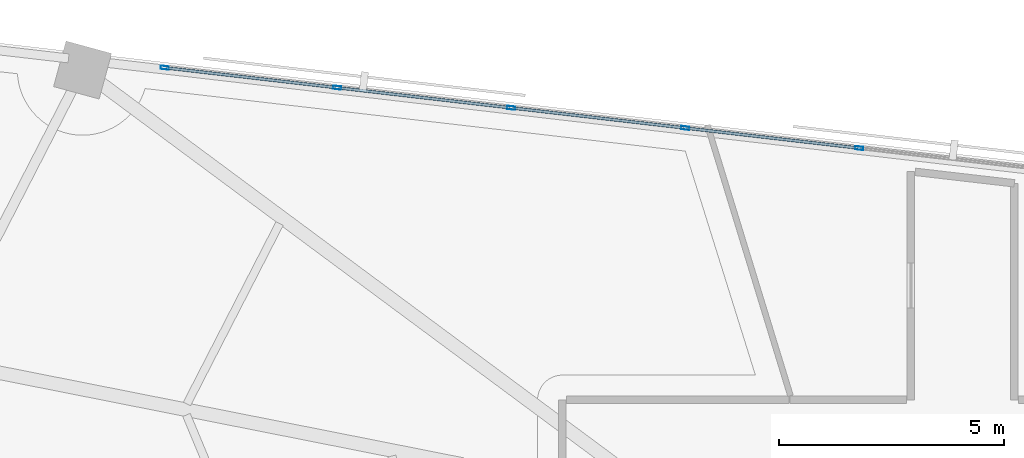
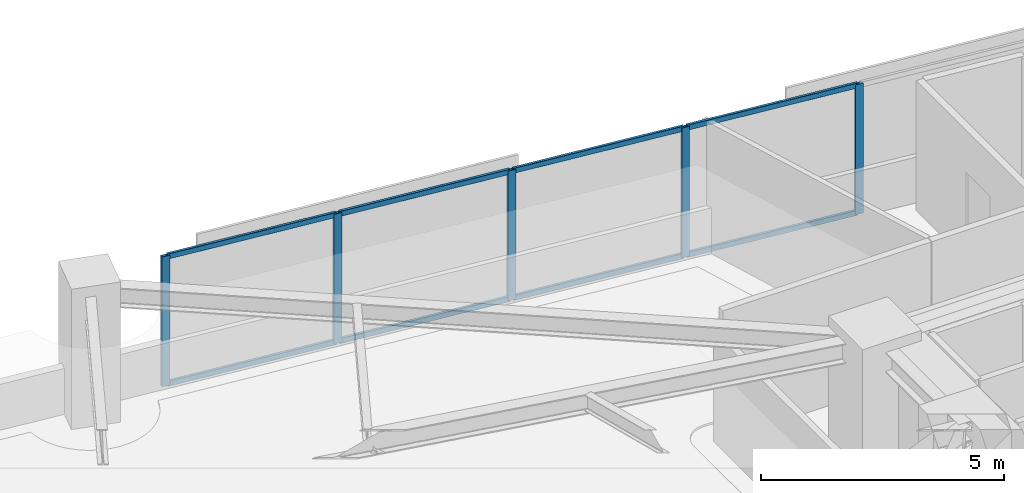
# One storey, part 7 of 14: 13 members, 1 element without a shape of its own.
"""IFC4 building model written with IfcOpenShell, lengths in metres."""

from ifc_helpers import new_model, si_unit, direction, frame, origin, origin_2d, place, context, subcontext, project, spatial, hollow_rectangle, extrude, material, material_profile, profile_set, type_object, element, aggregate, save


model = new_model("IFC4")

# Units and contexts
model_context = context("Model", 3, precision=1e-05, world=origin(), true_north=direction((0.0, 1.0)))
body_context = subcontext(model_context, "Body", "Model", "MODEL_VIEW")
ifc_project = project(units=[si_unit("LENGTHUNIT", "METRE"), si_unit("AREAUNIT", "SQUARE_METRE"), si_unit("VOLUMEUNIT", "CUBIC_METRE"), si_unit("PLANEANGLEUNIT", "RADIAN"), si_unit("MASSUNIT", "GRAM", prefix="KILO")], contexts=[model_context])

# Site, building, storey
site_placement = place(None, origin())
site = spatial("IfcSite", under=ifc_project, at=site_placement, CompositionType="ELEMENT")
building_placement = place(site_placement, origin())
building = spatial("IfcBuilding", under=site, at=building_placement, Name="Narakoshi Arena Tower", CompositionType="ELEMENT")
storey_placement = place(building_placement, frame((0.0, 0.0, 211.4599609375)))
storey = spatial("IfcBuildingStorey", under=building, at=storey_placement, Name="L57", CompositionType="ELEMENT", Elevation=211.4599609375)

# Curtain wall, members
ifc_material = material(Name="Anodised bronze aluminium 6063-T6", Category="aluminium")
curtain_wall_type = type_object("IfcCurtainWallType", Name="CW-HYP-MID", PredefinedType="NOTDEFINED", material=ifc_material)
curtain_wall_placement = place(storey_placement, origin())
curtain_wall = element("IfcCurtainWall", 1, at=curtain_wall_placement, inside=storey, type_object=curtain_wall_type, Name="L57 Folded Hypotenuse Curtain Wall 2-1", PredefinedType="NOTDEFINED")
ifc_material_profile_1 = material_profile(ifc_material, hollow_rectangle(XDim=0.074951171875, YDim=0.179931640625, WallThickness=0.00390625, OuterFilletRadius=0.0048828125, at=origin_2d()), Name="MUL180x75x4")
ifc_profile_set_1 = profile_set([ifc_material_profile_1], Name="Anodised bronze aluminium 6063-T6")
member_type_1 = type_object("IfcMemberType", Name="MEM-MUL-180", PredefinedType="MULLION", material=ifc_profile_set_1)
member_1_placement = place(storey_placement, frame((76.20068359375, 64.446533203125, 0.0), z_axis=(0.0, 0.0, 1.0), x_axis=(-0.115011296816, -0.993364183774, 0.0)))
member_1 = element("IfcMember", 2, at=member_1_placement, type_object=member_type_1, Name="CW-02 mullion 3", PredefinedType="MULLION", context=body_context, shape_type="SweptSolid", body=[
    extrude(hollow_rectangle(XDim=0.074951171875, YDim=0.179931640625, WallThickness=0.00390625, OuterFilletRadius=0.0048828125, at=origin_2d()), origin(), (0.0, 0.0, 1.0), 3.260009765625),
])
member_2_placement = place(storey_placement, frame((72.33154296875, 64.894287109375, 0.0), z_axis=(0.0, 0.0, 1.0), x_axis=(-0.115011296816, -0.993364183774, 0.0)))
member_2 = element("IfcMember", 3, at=member_2_placement, type_object=member_type_1, Name="CW-02 mullion 4", PredefinedType="MULLION", context=body_context, shape_type="SweptSolid", body=[
    extrude(hollow_rectangle(XDim=0.074951171875, YDim=0.179931640625, WallThickness=0.00390625, OuterFilletRadius=0.0048828125, at=origin_2d()), origin(), (0.0, 0.0, 1.0), 3.260009765625),
])
member_3_placement = place(storey_placement, frame((68.46240234375, 65.34228515625, 0.0), z_axis=(0.0, 0.0, 1.0), x_axis=(-0.115011296816, -0.993364183774, 0.0)))
member_3 = element("IfcMember", 4, at=member_3_placement, type_object=member_type_1, Name="CW-02 mullion 5", PredefinedType="MULLION", context=body_context, shape_type="SweptSolid", body=[
    extrude(hollow_rectangle(XDim=0.074951171875, YDim=0.179931640625, WallThickness=0.00390625, OuterFilletRadius=0.0048828125, at=origin_2d()), origin(), (0.0, 0.0, 1.0), 3.260009765625),
])
member_4_placement = place(storey_placement, frame((64.59326171875, 65.790283203125, 0.0), z_axis=(0.0, 0.0, 1.0), x_axis=(-0.115011296816, -0.993364183774, 0.0)))
member_4 = element("IfcMember", 5, at=member_4_placement, type_object=member_type_1, Name="CW-02 mullion 6", PredefinedType="MULLION", context=body_context, shape_type="SweptSolid", body=[
    extrude(hollow_rectangle(XDim=0.074951171875, YDim=0.179931640625, WallThickness=0.00390625, OuterFilletRadius=0.0048828125, at=origin_2d()), origin(), (0.0, 0.0, 1.0), 3.260009765625),
])
member_5_placement = place(storey_placement, frame((60.76123046875, 66.23388671875, 0.0), z_axis=(0.0, 0.0, 1.0), x_axis=(-0.115011296816, -0.993364183774, 0.0)))
member_5 = element("IfcMember", 6, at=member_5_placement, type_object=member_type_1, Name="CW-02 mullion 7", PredefinedType="MULLION", context=body_context, shape_type="SweptSolid", body=[
    extrude(hollow_rectangle(XDim=0.074951171875, YDim=0.179931640625, WallThickness=0.00390625, OuterFilletRadius=0.0048828125, at=origin_2d()), origin(), (0.0, 0.0, 1.0), 3.260009765625),
])
ifc_material_profile_2 = material_profile(ifc_material, hollow_rectangle(XDim=0.06494140625, YDim=0.1298828125, WallThickness=0.00390625, OuterFilletRadius=0.0048828125, at=origin_2d()), Name="TRN130x65x4")
ifc_profile_set_2 = profile_set([ifc_material_profile_2], Name="Anodised bronze aluminium 6063-T6")
member_type_2 = type_object("IfcMemberType", Name="MEM-TRN-130", PredefinedType="USERDEFINED", material=ifc_profile_set_2)
member_6_placement = place(storey_placement, frame((76.163330078125, 64.45068359375, 0.032470703125), z_axis=(-0.993360986362, 0.115038909828, 0.0), x_axis=(-0.115038909828, -0.993360986362, 0.0)))
member_6 = element("IfcMember", 7, at=member_6_placement, type_object=member_type_2, Name="CW-02 transom 3.1", ObjectType="TRANSOM", PredefinedType="USERDEFINED", context=body_context, shape_type="SweptSolid", body=[
    extrude(hollow_rectangle(XDim=0.06494140625, YDim=0.1298828125, WallThickness=0.00390625, OuterFilletRadius=0.0048828125, at=origin_2d()), origin(), (0.0, 0.0, 1.0), 3.820068359375),
])
member_7_placement = place(storey_placement, frame((76.163330078125, 64.45068359375, 3.2275390625), z_axis=(-0.993360986362, 0.115038909828, 0.0), x_axis=(-0.115038909828, -0.993360986362, 0.0)))
member_7 = element("IfcMember", 8, at=member_7_placement, type_object=member_type_2, Name="CW-02 transom 3.2", ObjectType="TRANSOM", PredefinedType="USERDEFINED", context=body_context, shape_type="SweptSolid", body=[
    extrude(hollow_rectangle(XDim=0.06494140625, YDim=0.1298828125, WallThickness=0.00390625, OuterFilletRadius=0.0048828125, at=origin_2d()), origin(), (0.0, 0.0, 1.0), 3.820068359375),
])
member_8_placement = place(storey_placement, frame((72.294189453125, 64.898681640625, 0.032470703125), z_axis=(-0.993360986362, 0.115038909828, 0.0), x_axis=(-0.115038909828, -0.993360986362, 0.0)))
member_8 = element("IfcMember", 9, at=member_8_placement, type_object=member_type_2, Name="CW-02 transom 4.1", ObjectType="TRANSOM", PredefinedType="USERDEFINED", context=body_context, shape_type="SweptSolid", body=[
    extrude(hollow_rectangle(XDim=0.06494140625, YDim=0.1298828125, WallThickness=0.00390625, OuterFilletRadius=0.0048828125, at=origin_2d()), origin(), (0.0, 0.0, 1.0), 3.820068359375),
])
member_9_placement = place(storey_placement, frame((72.294189453125, 64.898681640625, 3.2275390625), z_axis=(-0.993360986362, 0.115038909828, 0.0), x_axis=(-0.115038909828, -0.993360986362, 0.0)))
member_9 = element("IfcMember", 10, at=member_9_placement, type_object=member_type_2, Name="CW-02 transom 4.2", ObjectType="TRANSOM", PredefinedType="USERDEFINED", context=body_context, shape_type="SweptSolid", body=[
    extrude(hollow_rectangle(XDim=0.06494140625, YDim=0.1298828125, WallThickness=0.00390625, OuterFilletRadius=0.0048828125, at=origin_2d()), origin(), (0.0, 0.0, 1.0), 3.820068359375),
])
member_10_placement = place(storey_placement, frame((68.425048828125, 65.3466796875, 0.032470703125), z_axis=(-0.993360986362, 0.115038909828, 0.0), x_axis=(-0.115038909828, -0.993360986362, 0.0)))
member_10 = element("IfcMember", 11, at=member_10_placement, type_object=member_type_2, Name="CW-02 transom 5.1", ObjectType="TRANSOM", PredefinedType="USERDEFINED", context=body_context, shape_type="SweptSolid", body=[
    extrude(hollow_rectangle(XDim=0.06494140625, YDim=0.1298828125, WallThickness=0.00390625, OuterFilletRadius=0.0048828125, at=origin_2d()), origin(), (0.0, 0.0, 1.0), 3.820068359375),
])
member_11_placement = place(storey_placement, frame((68.425048828125, 65.3466796875, 3.2275390625), z_axis=(-0.993360986362, 0.115038909828, 0.0), x_axis=(-0.115038909828, -0.993360986362, 0.0)))
member_11 = element("IfcMember", 12, at=member_11_placement, type_object=member_type_2, Name="CW-02 transom 5.2", ObjectType="TRANSOM", PredefinedType="USERDEFINED", context=body_context, shape_type="SweptSolid", body=[
    extrude(hollow_rectangle(XDim=0.06494140625, YDim=0.1298828125, WallThickness=0.00390625, OuterFilletRadius=0.0048828125, at=origin_2d()), origin(), (0.0, 0.0, 1.0), 3.820068359375),
])
member_12_placement = place(storey_placement, frame((64.555908203125, 65.794677734375, 0.032470703125), z_axis=(-0.993363061903, 0.115020986115, 0.0), x_axis=(-0.115020986115, -0.993363061903, 0.0)))
member_12 = element("IfcMember", 13, at=member_12_placement, type_object=member_type_2, Name="CW-02 transom 6.1", ObjectType="TRANSOM", PredefinedType="USERDEFINED", context=body_context, shape_type="SweptSolid", body=[
    extrude(hollow_rectangle(XDim=0.06494140625, YDim=0.1298828125, WallThickness=0.00390625, OuterFilletRadius=0.0048828125, at=origin_2d()), origin(), (0.0, 0.0, 1.0), 3.782470703125),
])
member_13_placement = place(storey_placement, frame((64.555908203125, 65.794677734375, 3.2275390625), z_axis=(-0.993363061903, 0.115020986115, 0.0), x_axis=(-0.115020986115, -0.993363061903, 0.0)))
member_13 = element("IfcMember", 14, at=member_13_placement, type_object=member_type_2, Name="CW-02 transom 6.2", ObjectType="TRANSOM", PredefinedType="USERDEFINED", context=body_context, shape_type="SweptSolid", body=[
    extrude(hollow_rectangle(XDim=0.06494140625, YDim=0.1298828125, WallThickness=0.00390625, OuterFilletRadius=0.0048828125, at=origin_2d()), origin(), (0.0, 0.0, 1.0), 3.782470703125),
])
aggregate(curtain_wall, [member_1, member_2, member_3, member_4, member_5, member_6, member_7, member_8, member_9, member_10, member_11, member_12, member_13])

save(model, "model.ifc")
